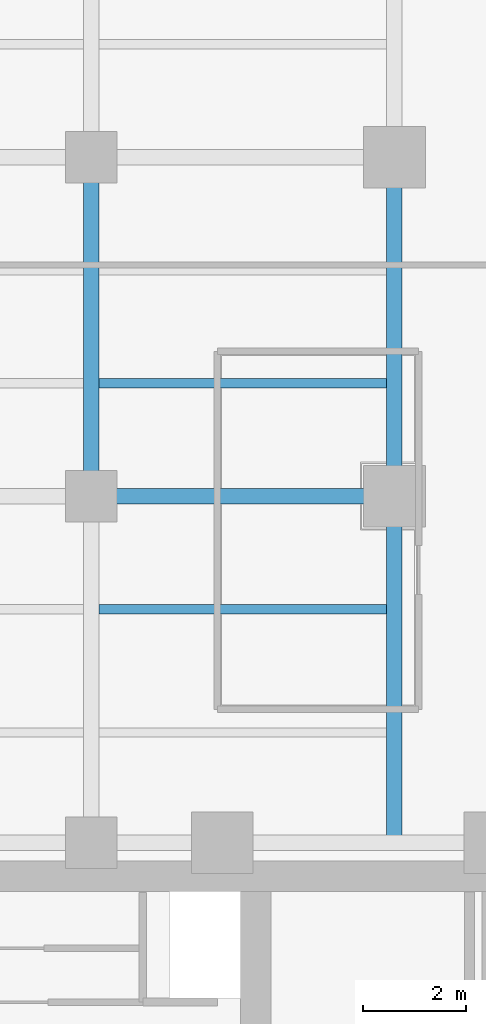
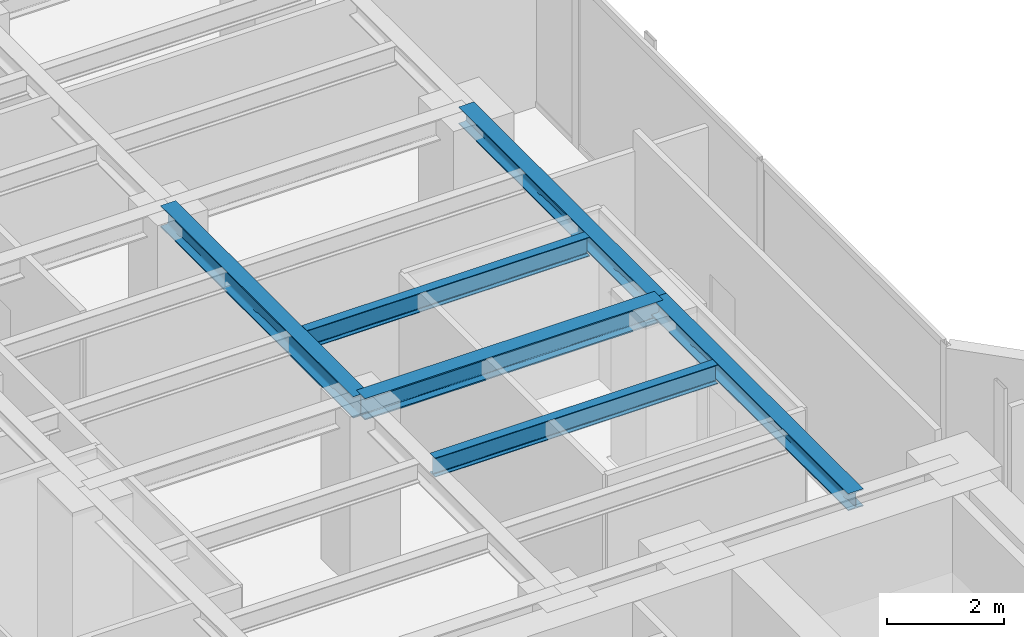
# One storey, part 9 of 27: 6 beams.
"""IFC4 building model written with IfcOpenShell, lengths in metres."""

from ifc_helpers import new_model, si_unit, direction, frame, origin, origin_2d, place, context, subcontext, project, spatial, i_section, extrude, material, material_profile, profile_set, type_object, element, save


model = new_model("IFC4")

# Units and contexts
model_context = context("Model", 3, precision=1e-05, world=origin(), true_north=direction((0.0, 1.0)))
body_context = subcontext(model_context, "Body", "Model", "MODEL_VIEW")
ifc_project = project(units=[si_unit("LENGTHUNIT", "METRE"), si_unit("AREAUNIT", "SQUARE_METRE"), si_unit("VOLUMEUNIT", "CUBIC_METRE"), si_unit("PLANEANGLEUNIT", "RADIAN"), si_unit("MASSUNIT", "GRAM", prefix="KILO")], contexts=[model_context])

# Site, building, storey
site_placement = place(None, origin())
site = spatial("IfcSite", under=ifc_project, at=site_placement, CompositionType="ELEMENT")
building_placement = place(site_placement, origin())
building = spatial("IfcBuilding", under=site, at=building_placement, Name="Kolvaren Waterfront Exchange", CompositionType="ELEMENT")
storey_placement = place(building_placement, frame((0.0, 0.0, 176.60009765625)))
storey = spatial("IfcBuildingStorey", under=building, at=storey_placement, Name="L45", CompositionType="ELEMENT", Elevation=176.60009765625)

# Beams
ifc_material = material(Name="Steel S355", Category="steel")
ifc_material_profile_1 = material_profile(ifc_material, i_section(OverallWidth=0.300048828125, OverallDepth=0.360107421875, WebThickness=0.012451171875, FlangeThickness=0.0224609375, FilletRadius=0.027099609375, at=origin_2d()), Name="HEB360")
ifc_profile_set_1 = profile_set([ifc_material_profile_1], Name="Steel S355")
beam_type_1 = type_object("IfcBeamType", Name="STR-BM-HEB360", PredefinedType="SPANDREL", material=ifc_profile_set_1)
beam_1_placement = place(storey_placement, frame((18.800048828125, 24.449951171875, 3.3798828125), z_axis=(0.0, 1.0, 0.0), x_axis=(-1.0, 0.0, 0.0)))
element("IfcBeam", 1, at=beam_1_placement, inside=storey, type_object=beam_type_1, Name="L45 north-arm edge beam 1", PredefinedType="SPANDREL", context=body_context, shape_type="SweptSolid", body=[
    extrude(i_section(OverallWidth=0.300048828125, OverallDepth=0.360107421875, WebThickness=0.012451171875, FlangeThickness=0.0224609375, FilletRadius=0.027099609375, at=origin_2d()), origin(), (0.0, 0.0, 1.0), 6.75),
])
beam_2_placement = place(storey_placement, frame((18.800048828125, 31.199951171875, 3.3798828125), z_axis=(0.0, 1.0, 0.0), x_axis=(-1.0, 0.0, 0.0)))
element("IfcBeam", 2, at=beam_2_placement, inside=storey, type_object=beam_type_1, Name="L45 north-arm edge beam 2", PredefinedType="SPANDREL", context=body_context, shape_type="SweptSolid", body=[
    extrude(i_section(OverallWidth=0.300048828125, OverallDepth=0.360107421875, WebThickness=0.012451171875, FlangeThickness=0.0224609375, FilletRadius=0.027099609375, at=origin_2d()), origin(), (0.0, 0.0, 1.0), 6.60009765625),
])
ifc_material_profile_2 = material_profile(ifc_material, i_section(OverallWidth=0.300048828125, OverallDepth=0.449951171875, WebThickness=0.013916015625, FlangeThickness=0.02587890625, FilletRadius=0.027099609375, at=origin_2d()), Name="HEB450")
ifc_profile_set_2 = profile_set([ifc_material_profile_2], Name="Steel S355")
beam_type_2 = type_object("IfcBeamType", Name="STR-BM-HEB450", PredefinedType="BEAM", material=ifc_profile_set_2)
beam_3_placement = place(storey_placement, frame((12.89990234375, 31.199951171875, 3.3349609375), z_axis=(1.0, 0.0, 0.0), x_axis=(0.0, 1.0, 0.0)))
element("IfcBeam", 3, at=beam_3_placement, inside=storey, type_object=beam_type_2, Name="L45 north-arm girder 2B", PredefinedType="BEAM", context=body_context, shape_type="SweptSolid", body=[
    extrude(i_section(OverallWidth=0.300048828125, OverallDepth=0.449951171875, WebThickness=0.013916015625, FlangeThickness=0.02587890625, FilletRadius=0.027099609375, at=origin_2d()), origin(), (0.0, 0.0, 1.0), 5.900146484375),
])
beam_4_placement = place(storey_placement, frame((12.89990234375, 31.199951171875, 3.3349609375), z_axis=(0.0, 1.0, 0.0), x_axis=(-1.0, 0.0, 0.0)))
element("IfcBeam", 4, at=beam_4_placement, inside=storey, type_object=beam_type_2, Name="L45 north-arm edge beam 2", PredefinedType="BEAM", context=body_context, shape_type="SweptSolid", body=[
    extrude(i_section(OverallWidth=0.300048828125, OverallDepth=0.449951171875, WebThickness=0.013916015625, FlangeThickness=0.02587890625, FilletRadius=0.027099609375, at=origin_2d()), origin(), (0.0, 0.0, 1.0), 6.60009765625),
])
ifc_material_profile_3 = material_profile(ifc_material, i_section(OverallWidth=0.179931640625, OverallDepth=0.39990234375, WebThickness=0.008544921875, FlangeThickness=0.013427734375, FilletRadius=0.02099609375, at=origin_2d()), Name="IPE400")
ifc_profile_set_3 = profile_set([ifc_material_profile_3], Name="Steel S355")
beam_type_3 = type_object("IfcBeamType", Name="STR-BM-IPE400", PredefinedType="JOIST", material=ifc_profile_set_3)
for number, where, z_axis, x_axis, name in (
    (5, (13.052001953125, 29.0, 3.35986328125), (1.0, 0.0, 0.0), (0.0, 1.0, 0.0), "L45 north-arm composite joist 2B"),
    (6, (13.052001953125, 33.39990234375, 3.35986328125), (1.0, 0.0, 0.0), (0.0, 1.0, 0.0), "L45 north-arm composite joist 3B"),
):
    element("IfcBeam", number, at=place(storey_placement, frame(where, z_axis=z_axis, x_axis=x_axis)), inside=storey, type_object=beam_type_3, Name=name, PredefinedType="JOIST", context=body_context, shape_type="SweptSolid", body=[
        extrude(i_section(OverallWidth=0.179931640625, OverallDepth=0.39990234375, WebThickness=0.008544921875, FlangeThickness=0.013427734375, FilletRadius=0.02099609375, at=origin_2d()), origin(), (0.0, 0.0, 1.0), 5.595947265625),
    ])

save(model, "model.ifc")
